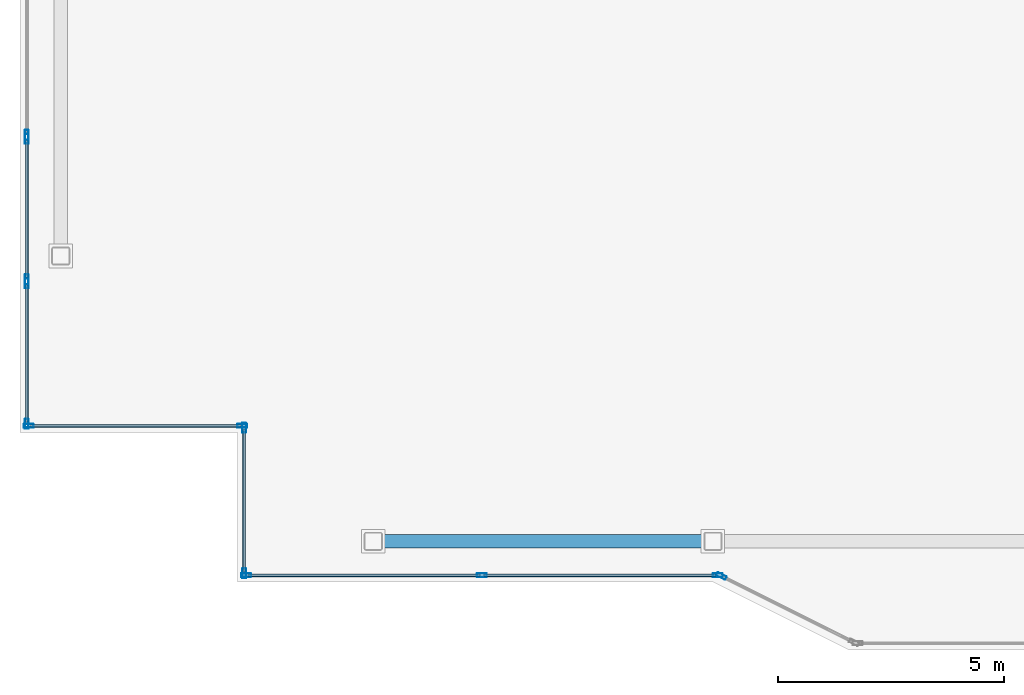
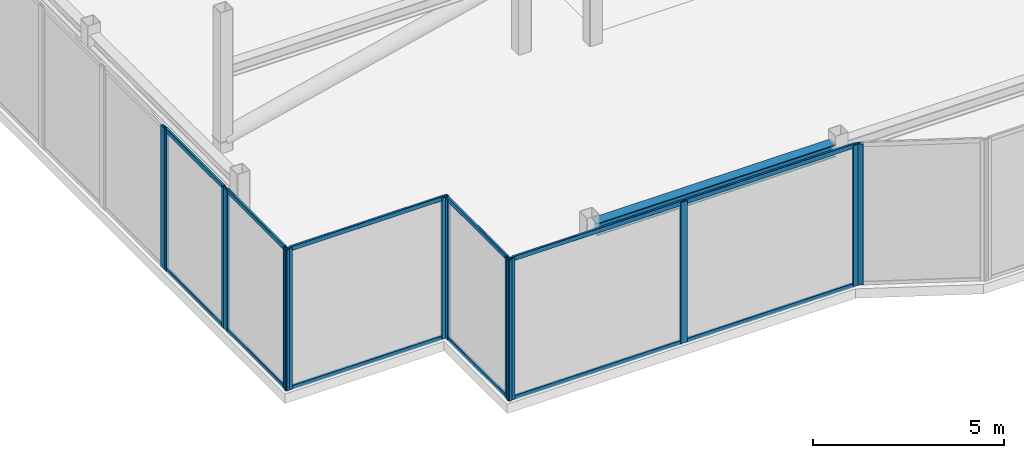
# One storey, part 2 of 18: 25 members, 1 beam, 7 elements without a shape of their own.
"""IFC4 building model written with IfcOpenShell, lengths in metres."""

from ifc_helpers import new_model, si_unit, direction, frame, origin, origin_2d, place, context, subcontext, project, spatial, hollow_rectangle, i_section, extrude, material, layer, layer_set, material_profile, profile_set, type_object, element, aggregate, save


model = new_model("IFC4")

# Units and contexts
model_context = context("Model", 3, precision=1e-05, world=origin(), true_north=direction((0.0, 1.0)))
body_context = subcontext(model_context, "Body", "Model", "MODEL_VIEW")
ifc_project = project(units=[si_unit("LENGTHUNIT", "METRE"), si_unit("AREAUNIT", "SQUARE_METRE"), si_unit("VOLUMEUNIT", "CUBIC_METRE"), si_unit("PLANEANGLEUNIT", "RADIAN"), si_unit("MASSUNIT", "GRAM", prefix="KILO")], contexts=[model_context])

# Site, building, storey
site_placement = place(None, origin())
site = spatial("IfcSite", under=ifc_project, at=site_placement, CompositionType="ELEMENT")
building_placement = place(site_placement, origin())
building = spatial("IfcBuilding", under=site, at=building_placement, Name="Tarnavaz Court Tower", CompositionType="ELEMENT")
storey_placement = place(building_placement, frame((0.0, 0.0, 281.550048828125)))
storey = spatial("IfcBuildingStorey", under=building, at=storey_placement, Name="C01", CompositionType="ELEMENT", Elevation=281.550048828125)

# Beam
ifc_material_1 = material(Name="Steel S355", Category="steel")
ifc_material_profile_1 = material_profile(ifc_material_1, i_section(OverallWidth=0.300048828125, OverallDepth=0.39990234375, WebThickness=0.013427734375, FlangeThickness=0.02392578125, FilletRadius=0.027099609375, at=origin_2d()), Name="HEB 400")
ifc_profile_set_1 = profile_set([ifc_material_profile_1], Name="Steel S355")
beam_type = type_object("IfcBeamType", Name="BM-G-HEB400", PredefinedType="USERDEFINED", material=ifc_profile_set_1)
beam_placement = place(storey_placement, frame((-14.85009765625, -20.10009765625, 4.0), z_axis=(1.0, 0.0, 0.0), x_axis=(0.0, 1.0, 0.0)))
element("IfcBeam", 1, at=beam_placement, inside=storey, type_object=beam_type, Name="C01 Beam CRG-PS-1-PS-2", ObjectType="GIRDER", PredefinedType="USERDEFINED", context=body_context, shape_type="SweptSolid", body=[
    extrude(i_section(OverallWidth=0.300048828125, OverallDepth=0.39990234375, WebThickness=0.013427734375, FlangeThickness=0.02392578125, FilletRadius=0.027099609375, at=origin_2d()), origin(), (0.0, 0.0, 1.0), 7.2001953125),
])

# Curtain wall, members
ifc_material_2 = material(Name="Anodised Aluminium 6063-T6 and Solar Low-E Glazing", Category="aluminium")
ifc_layer = layer(ifc_material_2, 0.2099609375)
ifc_layer_set = layer_set([ifc_layer], Name="Anodised Aluminium 6063-T6 and Solar Low-E Glazing")
curtain_wall_type = type_object("IfcCurtainWallType", Name="CW-SYS-06", PredefinedType="NOTDEFINED", material=ifc_layer_set)
curtain_wall_1_placement = place(storey_placement, origin())
curtain_wall_1 = element("IfcCurtainWall", 2, at=curtain_wall_1_placement, inside=storey, type_object=curtain_wall_type, Name="C01 Slanted Crown Terracotta Curtain Wall 1", PredefinedType="NOTDEFINED")
ifc_material_3 = material(Name="Anodised Aluminium 6063-T6", Category="aluminium")
ifc_material_profile_2 = material_profile(ifc_material_3, hollow_rectangle(XDim=0.0849609375, YDim=0.219970703125, WallThickness=0.006103515625, InnerFilletRadius=0.006103515625, OuterFilletRadius=0.011962890625, at=origin_2d()), Name="ALU RHS 220X85X6")
ifc_profile_set_2 = profile_set([ifc_material_profile_2], Name="Anodised Aluminium 6063-T6")
member_type_1 = type_object("IfcMemberType", Name="CW-MUL-220", PredefinedType="MULLION", material=ifc_profile_set_2)
member_1_placement = place(storey_placement, frame((-7.392578125, -20.85009765625, 0.0), z_axis=(0.0, 0.0, 1.0), x_axis=(0.0, -1.0, 0.0)))
member_1 = element("IfcMember", 3, at=member_1_placement, type_object=member_type_1, Name="CW mullion 1", PredefinedType="MULLION", context=body_context, shape_type="SweptSolid", body=[
    extrude(hollow_rectangle(XDim=0.0849609375, YDim=0.219970703125, WallThickness=0.006103515625, InnerFilletRadius=0.006103515625, OuterFilletRadius=0.011962890625, at=origin_2d()), origin(), (0.0, 0.0, 1.0), 4.5),
])
member_2_placement = place(storey_placement, frame((-12.60009765625, -20.85009765625, 0.0), z_axis=(0.0, 0.0, 1.0), x_axis=(0.0, -1.0, 0.0)))
member_2 = element("IfcMember", 4, at=member_2_placement, type_object=member_type_1, Name="CW mullion 2", PredefinedType="MULLION", context=body_context, shape_type="SweptSolid", body=[
    extrude(hollow_rectangle(XDim=0.0849609375, YDim=0.219970703125, WallThickness=0.006103515625, InnerFilletRadius=0.006103515625, OuterFilletRadius=0.011962890625, at=origin_2d()), origin(), (0.0, 0.0, 1.0), 4.5),
])
member_3_placement = place(storey_placement, frame((-17.8076171875, -20.85009765625, 0.0), z_axis=(0.0, 0.0, 1.0), x_axis=(0.0, -1.0, 0.0)))
member_3 = element("IfcMember", 5, at=member_3_placement, type_object=member_type_1, Name="CW mullion 3", PredefinedType="MULLION", context=body_context, shape_type="SweptSolid", body=[
    extrude(hollow_rectangle(XDim=0.0849609375, YDim=0.219970703125, WallThickness=0.006103515625, InnerFilletRadius=0.006103515625, OuterFilletRadius=0.011962890625, at=origin_2d()), origin(), (0.0, 0.0, 1.0), 4.5),
])

curtain_wall_2_placement = place(storey_placement, origin())
curtain_wall_2 = element("IfcCurtainWall", 6, at=curtain_wall_2_placement, inside=storey, type_object=curtain_wall_type, Name="C01 Slanted Crown Terracotta Curtain Wall 2", PredefinedType="NOTDEFINED")
member_4_placement = place(storey_placement, frame((-17.85009765625, -20.8076171875, 0.0), z_axis=(0.0, 0.0, 1.0), x_axis=(-1.0, 0.0, 0.0)))
member_4 = element("IfcMember", 7, at=member_4_placement, type_object=member_type_1, Name="CW mullion 1", PredefinedType="MULLION", context=body_context, shape_type="SweptSolid", body=[
    extrude(hollow_rectangle(XDim=0.0849609375, YDim=0.219970703125, WallThickness=0.006103515625, InnerFilletRadius=0.006103515625, OuterFilletRadius=0.011962890625, at=origin_2d()), origin(), (0.0, 0.0, 1.0), 4.5),
])
member_5_placement = place(storey_placement, frame((-17.85009765625, -17.592529296875, 0.0), z_axis=(0.0, 0.0, 1.0), x_axis=(-1.0, 0.0, 0.0)))
member_5 = element("IfcMember", 8, at=member_5_placement, type_object=member_type_1, Name="CW mullion 2", PredefinedType="MULLION", context=body_context, shape_type="SweptSolid", body=[
    extrude(hollow_rectangle(XDim=0.0849609375, YDim=0.219970703125, WallThickness=0.006103515625, InnerFilletRadius=0.006103515625, OuterFilletRadius=0.011962890625, at=origin_2d()), origin(), (0.0, 0.0, 1.0), 4.5),
])

curtain_wall_3_placement = place(storey_placement, origin())
curtain_wall_3 = element("IfcCurtainWall", 9, at=curtain_wall_3_placement, inside=storey, type_object=curtain_wall_type, Name="C01 Slanted Crown Terracotta Curtain Wall 3", PredefinedType="NOTDEFINED")
member_6_placement = place(storey_placement, frame((-17.892578125, -17.550048828125, 0.0), z_axis=(0.0, 0.0, 1.0), x_axis=(0.0, -1.0, 0.0)))
member_6 = element("IfcMember", 10, at=member_6_placement, type_object=member_type_1, Name="CW mullion 1", PredefinedType="MULLION", context=body_context, shape_type="SweptSolid", body=[
    extrude(hollow_rectangle(XDim=0.0849609375, YDim=0.219970703125, WallThickness=0.006103515625, InnerFilletRadius=0.006103515625, OuterFilletRadius=0.011962890625, at=origin_2d()), origin(), (0.0, 0.0, 1.0), 4.5),
])
member_7_placement = place(storey_placement, frame((-22.607421875, -17.550048828125, 0.0), z_axis=(0.0, 0.0, 1.0), x_axis=(0.0, -1.0, 0.0)))
member_7 = element("IfcMember", 11, at=member_7_placement, type_object=member_type_1, Name="CW mullion 2", PredefinedType="MULLION", context=body_context, shape_type="SweptSolid", body=[
    extrude(hollow_rectangle(XDim=0.0849609375, YDim=0.219970703125, WallThickness=0.006103515625, InnerFilletRadius=0.006103515625, OuterFilletRadius=0.011962890625, at=origin_2d()), origin(), (0.0, 0.0, 1.0), 4.5),
])

curtain_wall_4_placement = place(storey_placement, origin())
curtain_wall_4 = element("IfcCurtainWall", 12, at=curtain_wall_4_placement, inside=storey, type_object=curtain_wall_type, Name="C01 Slanted Crown Terracotta Curtain Wall 4", PredefinedType="NOTDEFINED")
member_8_placement = place(storey_placement, frame((-22.64990234375, -17.507568359375, 0.0), z_axis=(0.0, 0.0, 1.0), x_axis=(-1.0, 0.0, 0.0)))
member_8 = element("IfcMember", 13, at=member_8_placement, type_object=member_type_1, Name="CW mullion 1", PredefinedType="MULLION", context=body_context, shape_type="SweptSolid", body=[
    extrude(hollow_rectangle(XDim=0.0849609375, YDim=0.219970703125, WallThickness=0.006103515625, InnerFilletRadius=0.006103515625, OuterFilletRadius=0.011962890625, at=origin_2d()), origin(), (0.0, 0.0, 1.0), 4.5),
])
member_9_placement = place(storey_placement, frame((-22.64990234375, -14.401611328125, 0.0), z_axis=(0.0, 0.0, 1.0), x_axis=(-1.0, 0.0, 0.0)))
member_9 = element("IfcMember", 14, at=member_9_placement, type_object=member_type_1, Name="CW mullion 2", PredefinedType="MULLION", context=body_context, shape_type="SweptSolid", body=[
    extrude(hollow_rectangle(XDim=0.0849609375, YDim=0.219970703125, WallThickness=0.006103515625, InnerFilletRadius=0.006103515625, OuterFilletRadius=0.011962890625, at=origin_2d()), origin(), (0.0, 0.0, 1.0), 4.5),
])

curtain_wall_5_placement = place(storey_placement, origin())
curtain_wall_5 = element("IfcCurtainWall", 15, at=curtain_wall_5_placement, inside=storey, type_object=curtain_wall_type, Name="C01 Slanted Crown Terracotta Curtain Wall 5", PredefinedType="NOTDEFINED")
member_10_placement = place(storey_placement, frame((-22.64990234375, -14.316650390625, 0.0), z_axis=(0.0, 0.0, 1.0), x_axis=(-1.0, 0.0, 0.0)))
member_10 = element("IfcMember", 16, at=member_10_placement, type_object=member_type_1, Name="CW mullion 1", PredefinedType="MULLION", context=body_context, shape_type="SweptSolid", body=[
    extrude(hollow_rectangle(XDim=0.0849609375, YDim=0.219970703125, WallThickness=0.006103515625, InnerFilletRadius=0.006103515625, OuterFilletRadius=0.011962890625, at=origin_2d()), origin(), (0.0, 0.0, 1.0), 4.5),
])
member_11_placement = place(storey_placement, frame((-22.64990234375, -11.210693359375, 0.0), z_axis=(0.0, 0.0, 1.0), x_axis=(-1.0, 0.0, 0.0)))
member_11 = element("IfcMember", 17, at=member_11_placement, type_object=member_type_1, Name="CW mullion 2", PredefinedType="MULLION", context=body_context, shape_type="SweptSolid", body=[
    extrude(hollow_rectangle(XDim=0.0849609375, YDim=0.219970703125, WallThickness=0.006103515625, InnerFilletRadius=0.006103515625, OuterFilletRadius=0.011962890625, at=origin_2d()), origin(), (0.0, 0.0, 1.0), 4.5),
])

# Curtain wall, member
curtain_wall_6_placement = place(storey_placement, origin())
curtain_wall_6 = element("IfcCurtainWall", 18, at=curtain_wall_6_placement, inside=storey, type_object=curtain_wall_type, Name="C01 Slanted Crown Terracotta Curtain Wall 6", PredefinedType="NOTDEFINED")
member_12_placement = place(storey_placement, frame((-22.64990234375, -11.125732421875, 0.0), z_axis=(0.0, 0.0, 1.0), x_axis=(-1.0, 0.0, 0.0)))
member_12 = element("IfcMember", 19, at=member_12_placement, type_object=member_type_1, Name="CW mullion 1", PredefinedType="MULLION", context=body_context, shape_type="SweptSolid", body=[
    extrude(hollow_rectangle(XDim=0.0849609375, YDim=0.219970703125, WallThickness=0.006103515625, InnerFilletRadius=0.006103515625, OuterFilletRadius=0.011962890625, at=origin_2d()), origin(), (0.0, 0.0, 1.0), 4.5),
])
aggregate(curtain_wall_6, [member_12])

curtain_wall_7_placement = place(storey_placement, origin())
curtain_wall_7 = element("IfcCurtainWall", 20, at=curtain_wall_7_placement, inside=storey, type_object=curtain_wall_type, Name="C01 Slanted Crown Terracotta Curtain Wall 40", PredefinedType="NOTDEFINED")
member_13_placement = place(storey_placement, frame((-7.31201171875, -20.868896484375, 0.0), z_axis=(0.0, 0.0, 1.0), x_axis=(-0.447213595499, -0.894427191001, 0.0)))
member_13 = element("IfcMember", 21, at=member_13_placement, type_object=member_type_1, Name="CW mullion 2", PredefinedType="MULLION", context=body_context, shape_type="SweptSolid", body=[
    extrude(hollow_rectangle(XDim=0.0849609375, YDim=0.219970703125, WallThickness=0.006103515625, InnerFilletRadius=0.006103515625, OuterFilletRadius=0.011962890625, at=origin_2d()), origin(), (0.0, 0.0, 1.0), 4.5),
])
aggregate(curtain_wall_7, [member_13])

# Member
ifc_material_profile_3 = material_profile(ifc_material_3, hollow_rectangle(XDim=0.06494140625, YDim=0.139892578125, WallThickness=0.00390625, InnerFilletRadius=0.00390625, OuterFilletRadius=0.008056640625, at=origin_2d()), Name="ALU RHS 140X65X4")
ifc_profile_set_3 = profile_set([ifc_material_profile_3], Name="Anodised Aluminium 6063-T6")
member_type_2 = type_object("IfcMemberType", Name="CW-TRN-140", PredefinedType="USERDEFINED", material=ifc_profile_set_3)
member_14_placement = place(storey_placement, frame((-7.43505859375, -20.85009765625, 0.032470703125), z_axis=(-1.0, 0.0, 0.0), x_axis=(0.0, -1.0, 0.0)))
member_14 = element("IfcMember", 22, at=member_14_placement, type_object=member_type_2, Name="CW transom 1.1", ObjectType="TRANSOM", PredefinedType="USERDEFINED", context=body_context, shape_type="SweptSolid", body=[
    extrude(hollow_rectangle(XDim=0.06494140625, YDim=0.139892578125, WallThickness=0.00390625, InnerFilletRadius=0.00390625, OuterFilletRadius=0.008056640625, at=origin_2d()), origin(), (0.0, 0.0, 1.0), 5.12255859375),
])

member_15_placement = place(storey_placement, frame((-7.43505859375, -20.85009765625, 4.467529296875), z_axis=(-1.0, 0.0, 0.0), x_axis=(0.0, -1.0, 0.0)))
member_15 = element("IfcMember", 23, at=member_15_placement, type_object=member_type_2, Name="CW transom 1.2", ObjectType="TRANSOM", PredefinedType="USERDEFINED", context=body_context, shape_type="SweptSolid", body=[
    extrude(hollow_rectangle(XDim=0.06494140625, YDim=0.139892578125, WallThickness=0.00390625, InnerFilletRadius=0.00390625, OuterFilletRadius=0.008056640625, at=origin_2d()), origin(), (0.0, 0.0, 1.0), 5.12255859375),
])

member_16_placement = place(storey_placement, frame((-12.642578125, -20.85009765625, 0.032470703125), z_axis=(-1.0, 0.0, 0.0), x_axis=(0.0, -1.0, 0.0)))
member_16 = element("IfcMember", 24, at=member_16_placement, type_object=member_type_2, Name="CW transom 2.1", ObjectType="TRANSOM", PredefinedType="USERDEFINED", context=body_context, shape_type="SweptSolid", body=[
    extrude(hollow_rectangle(XDim=0.06494140625, YDim=0.139892578125, WallThickness=0.00390625, InnerFilletRadius=0.00390625, OuterFilletRadius=0.008056640625, at=origin_2d()), origin(), (0.0, 0.0, 1.0), 5.122314453125),
])

member_17_placement = place(storey_placement, frame((-12.642578125, -20.85009765625, 4.467529296875), z_axis=(-1.0, 0.0, 0.0), x_axis=(0.0, -1.0, 0.0)))
member_17 = element("IfcMember", 25, at=member_17_placement, type_object=member_type_2, Name="CW transom 2.2", ObjectType="TRANSOM", PredefinedType="USERDEFINED", context=body_context, shape_type="SweptSolid", body=[
    extrude(hollow_rectangle(XDim=0.06494140625, YDim=0.139892578125, WallThickness=0.00390625, InnerFilletRadius=0.00390625, OuterFilletRadius=0.008056640625, at=origin_2d()), origin(), (0.0, 0.0, 1.0), 5.122314453125),
])

aggregate(curtain_wall_1, [member_1, member_2, member_3, member_14, member_15, member_16, member_17])

member_18_placement = place(storey_placement, frame((-17.85009765625, -20.764892578125, 0.032470703125), z_axis=(0.0, 1.0, 0.0), x_axis=(-1.0, 0.0, 0.0)))
member_18 = element("IfcMember", 26, at=member_18_placement, type_object=member_type_2, Name="CW transom 1.1", ObjectType="TRANSOM", PredefinedType="USERDEFINED", context=body_context, shape_type="SweptSolid", body=[
    extrude(hollow_rectangle(XDim=0.06494140625, YDim=0.139892578125, WallThickness=0.00390625, InnerFilletRadius=0.00390625, OuterFilletRadius=0.008056640625, at=origin_2d()), origin(), (0.0, 0.0, 1.0), 3.1298828125),
])

member_19_placement = place(storey_placement, frame((-17.85009765625, -20.764892578125, 4.467529296875), z_axis=(0.0, 1.0, 0.0), x_axis=(-1.0, 0.0, 0.0)))
member_19 = element("IfcMember", 27, at=member_19_placement, type_object=member_type_2, Name="CW transom 1.2", ObjectType="TRANSOM", PredefinedType="USERDEFINED", context=body_context, shape_type="SweptSolid", body=[
    extrude(hollow_rectangle(XDim=0.06494140625, YDim=0.139892578125, WallThickness=0.00390625, InnerFilletRadius=0.00390625, OuterFilletRadius=0.008056640625, at=origin_2d()), origin(), (0.0, 0.0, 1.0), 3.1298828125),
])

aggregate(curtain_wall_2, [member_4, member_5, member_18, member_19])

member_20_placement = place(storey_placement, frame((-17.93505859375, -17.550048828125, 0.032470703125), z_axis=(-1.0, 0.0, 0.0), x_axis=(0.0, -1.0, 0.0)))
member_20 = element("IfcMember", 28, at=member_20_placement, type_object=member_type_2, Name="CW transom 1.1", ObjectType="TRANSOM", PredefinedType="USERDEFINED", context=body_context, shape_type="SweptSolid", body=[
    extrude(hollow_rectangle(XDim=0.06494140625, YDim=0.139892578125, WallThickness=0.00390625, InnerFilletRadius=0.00390625, OuterFilletRadius=0.008056640625, at=origin_2d()), origin(), (0.0, 0.0, 1.0), 4.6298828125),
])

member_21_placement = place(storey_placement, frame((-17.93505859375, -17.550048828125, 4.467529296875), z_axis=(-1.0, 0.0, 0.0), x_axis=(0.0, -1.0, 0.0)))
member_21 = element("IfcMember", 29, at=member_21_placement, type_object=member_type_2, Name="CW transom 1.2", ObjectType="TRANSOM", PredefinedType="USERDEFINED", context=body_context, shape_type="SweptSolid", body=[
    extrude(hollow_rectangle(XDim=0.06494140625, YDim=0.139892578125, WallThickness=0.00390625, InnerFilletRadius=0.00390625, OuterFilletRadius=0.008056640625, at=origin_2d()), origin(), (0.0, 0.0, 1.0), 4.6298828125),
])

aggregate(curtain_wall_3, [member_6, member_7, member_20, member_21])

member_22_placement = place(storey_placement, frame((-22.64990234375, -17.465087890625, 0.032470703125), z_axis=(0.0, 1.0, 0.0), x_axis=(-1.0, 0.0, 0.0)))
member_22 = element("IfcMember", 30, at=member_22_placement, type_object=member_type_2, Name="CW transom 1.1", ObjectType="TRANSOM", PredefinedType="USERDEFINED", context=body_context, shape_type="SweptSolid", body=[
    extrude(hollow_rectangle(XDim=0.06494140625, YDim=0.139892578125, WallThickness=0.00390625, InnerFilletRadius=0.00390625, OuterFilletRadius=0.008056640625, at=origin_2d()), origin(), (0.0, 0.0, 1.0), 3.02099609375),
])

member_23_placement = place(storey_placement, frame((-22.64990234375, -17.465087890625, 4.467529296875), z_axis=(0.0, 1.0, 0.0), x_axis=(-1.0, 0.0, 0.0)))
member_23 = element("IfcMember", 31, at=member_23_placement, type_object=member_type_2, Name="CW transom 1.2", ObjectType="TRANSOM", PredefinedType="USERDEFINED", context=body_context, shape_type="SweptSolid", body=[
    extrude(hollow_rectangle(XDim=0.06494140625, YDim=0.139892578125, WallThickness=0.00390625, InnerFilletRadius=0.00390625, OuterFilletRadius=0.008056640625, at=origin_2d()), origin(), (0.0, 0.0, 1.0), 3.02099609375),
])

aggregate(curtain_wall_4, [member_8, member_9, member_22, member_23])

member_24_placement = place(storey_placement, frame((-22.64990234375, -14.274169921875, 0.032470703125), z_axis=(0.0, 1.0, 0.0), x_axis=(-1.0, 0.0, 0.0)))
member_24 = element("IfcMember", 32, at=member_24_placement, type_object=member_type_2, Name="CW transom 1.1", ObjectType="TRANSOM", PredefinedType="USERDEFINED", context=body_context, shape_type="SweptSolid", body=[
    extrude(hollow_rectangle(XDim=0.06494140625, YDim=0.139892578125, WallThickness=0.00390625, InnerFilletRadius=0.00390625, OuterFilletRadius=0.008056640625, at=origin_2d()), origin(), (0.0, 0.0, 1.0), 3.02099609375),
])

member_25_placement = place(storey_placement, frame((-22.64990234375, -14.274169921875, 4.467529296875), z_axis=(0.0, 1.0, 0.0), x_axis=(-1.0, 0.0, 0.0)))
member_25 = element("IfcMember", 33, at=member_25_placement, type_object=member_type_2, Name="CW transom 1.2", ObjectType="TRANSOM", PredefinedType="USERDEFINED", context=body_context, shape_type="SweptSolid", body=[
    extrude(hollow_rectangle(XDim=0.06494140625, YDim=0.139892578125, WallThickness=0.00390625, InnerFilletRadius=0.00390625, OuterFilletRadius=0.008056640625, at=origin_2d()), origin(), (0.0, 0.0, 1.0), 3.02099609375),
])

aggregate(curtain_wall_5, [member_10, member_11, member_24, member_25])

save(model, "model.ifc")
